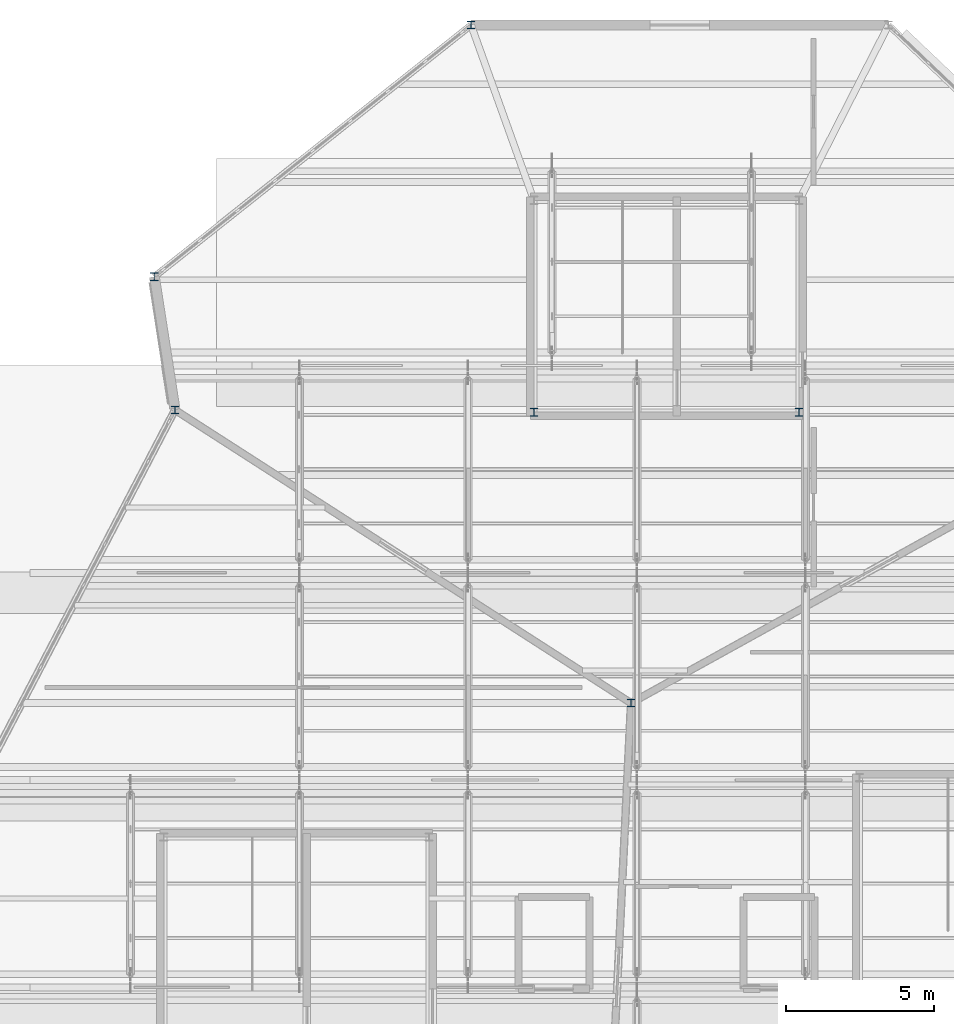
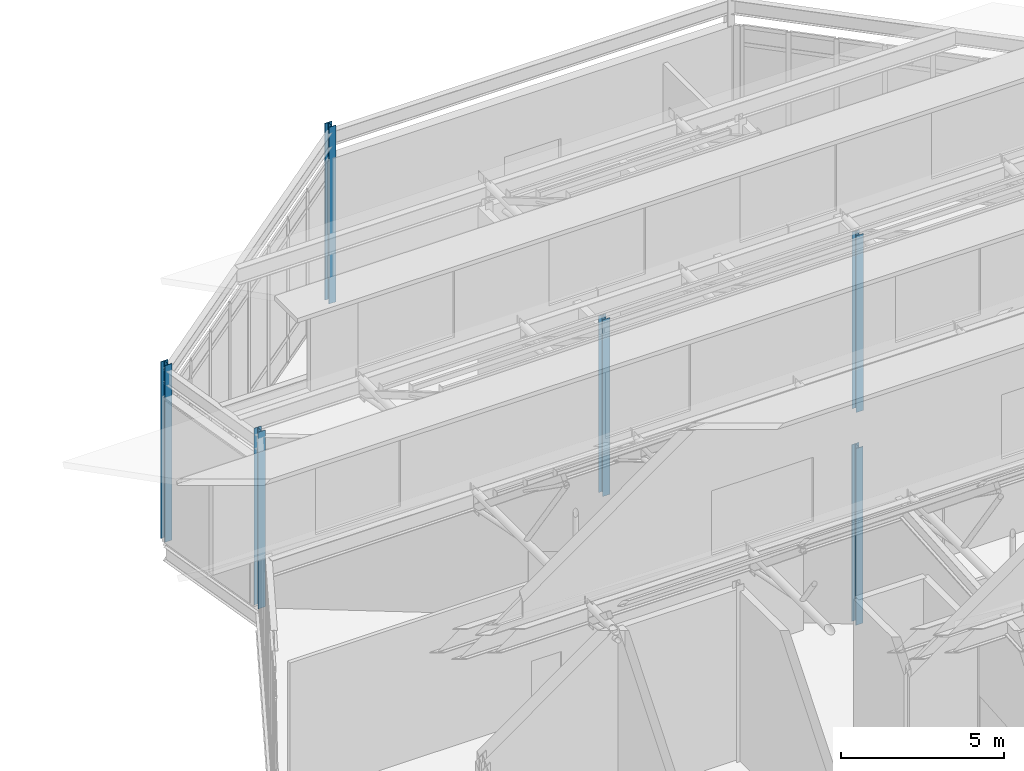
# One storey, part 3 of 55: 6 columns.
"""IFC4 building model written with IfcOpenShell, lengths in metres."""

from ifc_helpers import new_model, si_unit, direction, frame, origin, origin_2d, place, context, subcontext, project, spatial, i_section, extrude, material, material_profile, profile_set, type_object, element, save


model = new_model("IFC4")

# Units and contexts
model_context = context("Model", 3, precision=1e-05, world=origin(), true_north=direction((0.0, 1.0)))
body_context = subcontext(model_context, "Body", "Model", "MODEL_VIEW")
ifc_project = project(units=[si_unit("LENGTHUNIT", "METRE"), si_unit("AREAUNIT", "SQUARE_METRE"), si_unit("VOLUMEUNIT", "CUBIC_METRE"), si_unit("PLANEANGLEUNIT", "RADIAN"), si_unit("MASSUNIT", "GRAM", prefix="KILO")], contexts=[model_context])

# Site, building, storey
site_placement = place(None, origin())
site = spatial("IfcSite", under=ifc_project, at=site_placement, CompositionType="ELEMENT")
building_placement = place(site_placement, origin())
building = spatial("IfcBuilding", under=site, at=building_placement, Name="Tameran Prism Museum", CompositionType="ELEMENT")
storey_placement = place(building_placement, frame((0.0, 0.0, 28.800048828125)))
storey = spatial("IfcBuildingStorey", under=building, at=storey_placement, Name="L05", CompositionType="ELEMENT", Elevation=28.800048828125)

# Columns
ifc_material = material(Name="Steel Grade 300PLUS (300 MPa)", Category="steel")
ifc_material_profile = material_profile(ifc_material, i_section(OverallWidth=0.256103515625, OverallDepth=0.260009765625, WebThickness=0.010498046875, FlangeThickness=0.017333984375, FilletRadius=0.0126953125, at=origin_2d()))
ifc_profile_set = profile_set([ifc_material_profile])
column_type = type_object("IfcColumnType", Name="COL-UC250A", PredefinedType="COLUMN", material=ifc_profile_set)
for number, where, z_axis, x_axis, name in (
    (1, (102.699951171875, 103.5, 0.0), (0.0, 0.0, 1.0), (1.0, 0.0, 0.0), "Column CV-42 L05"),
    (2, (103.39990234375, 99.0, 0.0), (0.0, 0.0, 1.0), (1.0, 0.0, 0.0), "Column CV-43 L05"),
    (3, (113.39990234375, 112.0, 0.0), (0.0, 0.0, 1.0), (1.0, 0.0, 0.0), "Column CV-45 L05"),
    (4, (118.800048828125, 89.10009765625, 0.0), (0.0, 0.0, 1.0), (1.0, 0.0, 0.0), "Column CV-47 L05"),
    (5, (115.52001953125, 98.919921875, 0.0), (0.0, 0.0, 1.0), (1.0, 0.0, 0.0), "Column CC-7-1 L05"),
    (6, (124.47998046875, 98.919921875, 0.0), (0.0, 0.0, 1.0), (1.0, 0.0, 0.0), "Column CC-7-2 L05"),
):
    element("IfcColumn", number, at=place(storey_placement, frame(where, z_axis=z_axis, x_axis=x_axis)), inside=storey, type_object=column_type, Name=name, PredefinedType="COLUMN", context=body_context, shape_type="SweptSolid", body=[
        extrude(i_section(OverallWidth=0.256103515625, OverallDepth=0.260009765625, WebThickness=0.010498046875, FlangeThickness=0.017333984375, FilletRadius=0.0126953125, at=origin_2d()), origin(), (0.0, 0.0, 1.0), 6.599853515625),
    ])

save(model, "model.ifc")
